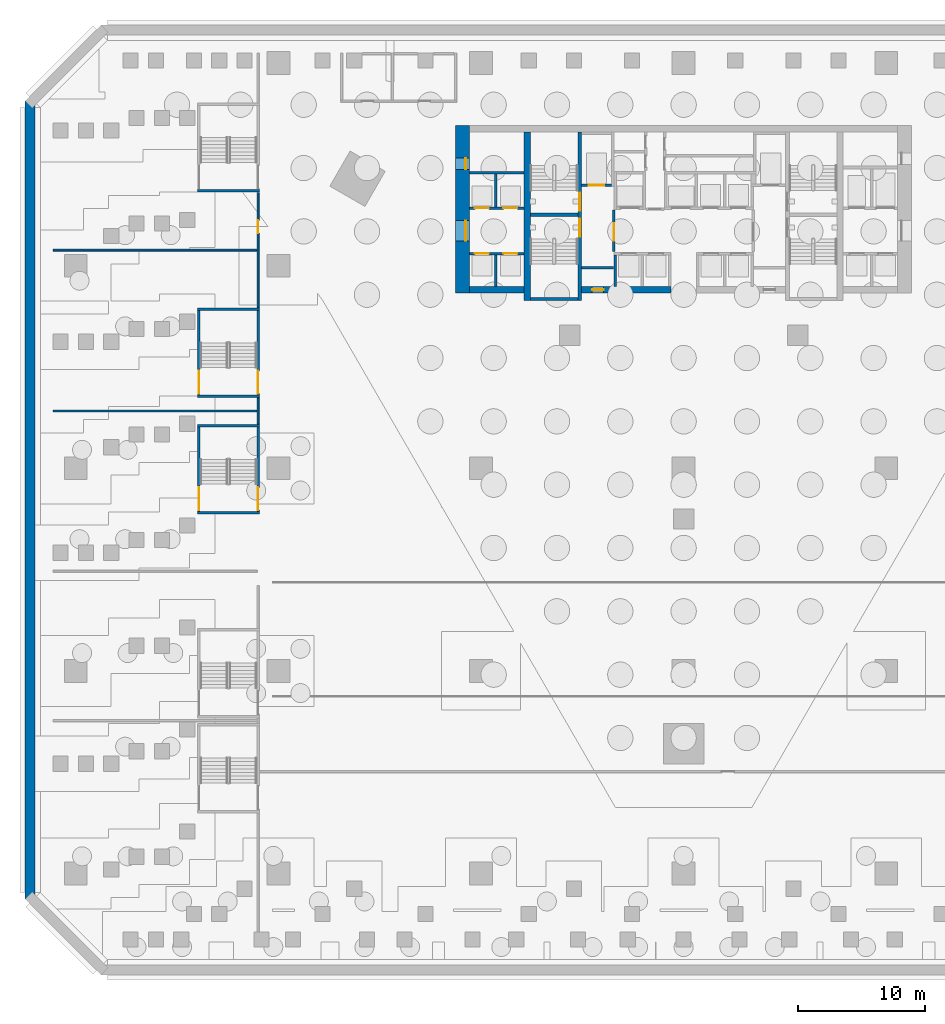
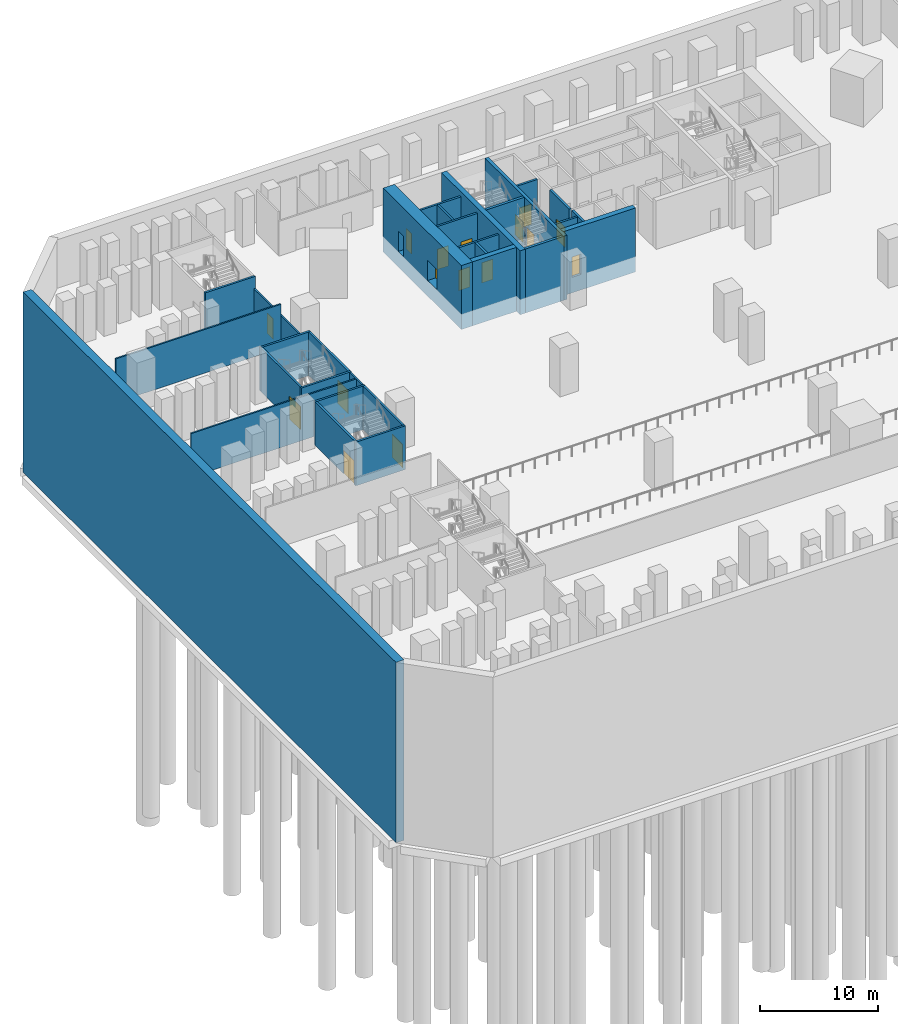
# One storey, part 8 of 27: 30 walls, 16 doors, 16 openings.
"""IFC4 building model written with IfcOpenShell, lengths in metres."""

from ifc_helpers import new_model, si_unit, direction, frame, frame_2d, origin, place, context, subcontext, project, spatial, rectangle, extrude, material, layer, layer_set, type_object, element, fill, save


model = new_model("IFC4")

# Units and contexts
model_context = context("Model", 3, precision=1e-05, world=origin(), true_north=direction((0.0, 1.0)))
body_context = subcontext(model_context, "Body", "Model", "MODEL_VIEW")
ifc_project = project(units=[si_unit("LENGTHUNIT", "METRE"), si_unit("AREAUNIT", "SQUARE_METRE"), si_unit("VOLUMEUNIT", "CUBIC_METRE"), si_unit("PLANEANGLEUNIT", "RADIAN"), si_unit("MASSUNIT", "GRAM", prefix="KILO")], contexts=[model_context])

# Site, building, storey
site_placement = place(None, origin())
site = spatial("IfcSite", under=ifc_project, at=site_placement, CompositionType="ELEMENT")
building_placement = place(site_placement, origin())
building = spatial("IfcBuilding", under=site, at=building_placement, Name="Calabash Gate Tower", CompositionType="ELEMENT")
storey_placement = place(building_placement, frame((0.0, 0.0, -10.0)))
storey = spatial("IfcBuildingStorey", under=building, at=storey_placement, Name="B2", CompositionType="ELEMENT", Elevation=-10.0)

# Wall, openings, doors
ifc_material_1 = material(Name="Concrete C60/75", Category="concrete")
ifc_layer_1 = layer(ifc_material_1, 1.10009765625)
ifc_layer_set_1 = layer_set([ifc_layer_1], Name="Core wall 1100 Concrete C60/75")
wall_type_1 = type_object("IfcWallType", Name="Core wall 1100 Concrete C60/75", PredefinedType="SHEAR", material=ifc_layer_set_1)
wall_1_placement = place(storey_placement, frame((-17.449951171875, 5.8525390625, -1.60009765625), z_axis=(0.0, 0.0, 1.0), x_axis=(0.0, 1.0, 0.0)))
wall_1 = element("IfcWall", 1, at=wall_1_placement, inside=storey, type_object=wall_type_1, Name="Core wall B-ENDW B2", PredefinedType="SHEAR", context=body_context, shape_type="SweptSolid", body=[
    extrude(rectangle(XDim=13.199951171875, YDim=1.10009765625, at=frame_2d((6.60009765625, 0.0))), origin(), (0.0, 0.0, 1.0), 6.60009765625),
])
opening_1_placement = place(wall_1_placement, frame((4.10009765625, 0.0, 1.60009765625)))
opening_1 = element("IfcOpeningElement", 2, at=opening_1_placement, cuts=wall_1, Name="Opening B2-014", PredefinedType="OPENING", context=body_context, shape_type="SweptSolid", body=[
    extrude(rectangle(XDim=1.60009765625, YDim=2.10009765625, at=frame_2d((0.800048828125, 1.050048828125))), frame((0.0, 0.56005859375, 0.0), z_axis=(0.0, -1.0, 0.0), x_axis=(1.0, 0.0, 0.0)), (0.0, 0.0, 1.0), 1.1201171875),
])
opening_2_placement = place(wall_1_placement, frame((9.75, 0.0, 1.60009765625)))
opening_2 = element("IfcOpeningElement", 3, at=opening_2_placement, cuts=wall_1, Name="Opening B2-015", PredefinedType="OPENING", context=body_context, shape_type="SweptSolid", body=[
    extrude(rectangle(XDim=0.89990234375, YDim=2.10009765625, at=frame_2d((0.449951171875, 1.050048828125))), frame((0.0, 0.56005859375, 0.0), z_axis=(0.0, -1.0, 0.0), x_axis=(1.0, 0.0, 0.0)), (0.0, 0.0, 1.0), 1.1201171875),
])
ifc_material_2 = material(Name="Steel fire door set with fire-resisting glazing", Category="steel")
door_type_1 = type_object("IfcDoorType", Name="Double fire door D08 1600x2100 FD60", OperationType="DOUBLE_DOOR_SINGLE_SWING", PredefinedType="DOOR", material=ifc_material_2)
door_1_placement = place(opening_1_placement, origin())
door_1 = element("IfcDoor", 4, at=door_1_placement, inside=storey, type_object=door_type_1, Name="Low-rise Lift Lobby W door", OperationType="DOUBLE_DOOR_SINGLE_SWING", OverallHeight=2.10009765625, OverallWidth=1.60009765625, PredefinedType="DOOR", context=body_context, shape_type="SweptSolid", body=[
    extrude(rectangle(XDim=1.60009765625, YDim=2.10009765625, at=frame_2d((0.800048828125, 1.050048828125))), frame((0.0, -0.22509765625, 0.0), z_axis=(0.0, -1.0, 0.0), x_axis=(1.0, 0.0, 0.0)), (0.0, 0.0, 1.0), 0.050048828125),
])
fill(opening_1, door_1)
ifc_material_3 = material(Name="Steel fire door set with fire-resisting glazing", Category="steel")
door_type_2 = type_object("IfcDoorType", Name="Fire door D06 900x2100 FD60", OperationType="NOTDEFINED", PredefinedType="DOOR", material=ifc_material_3)
door_2_placement = place(opening_2_placement, origin())
door_2 = element("IfcDoor", 5, at=door_2_placement, inside=storey, type_object=door_type_2, Name="Chilled Water Plant door", OperationType="SINGLE_SWING_RIGHT", OverallHeight=2.10009765625, OverallWidth=0.89990234375, PredefinedType="DOOR", context=body_context, shape_type="SweptSolid", body=[
    extrude(rectangle(XDim=0.89990234375, YDim=2.10009765625, at=frame_2d((0.449951171875, 1.050048828125))), frame((0.0, -0.22509765625, 0.0), z_axis=(0.0, -1.0, 0.0), x_axis=(1.0, 0.0, 0.0)), (0.0, 0.0, 1.0), 0.050048828125),
])
fill(opening_2, door_2)

# Walls
ifc_material_4 = material(Name="Concrete C60/75", Category="concrete")
ifc_layer_2 = layer(ifc_material_4, 0.25)
ifc_layer_set_2 = layer_set([ifc_layer_2], Name="Core wall 250 Concrete C60/75")
wall_type_2 = type_object("IfcWallType", Name="Core wall 250 Concrete C60/75", PredefinedType="SHEAR", material=ifc_layer_set_2)
for number, where, z_axis, x_axis, name in (
    (6, (-12.10009765625, 12.027587890625, -1.60009765625), (0.0, 0.0, 1.0), (1.0, 0.0, 0.0), "Core wall B-MIDW B2"),
    (7, (-12.10009765625, 5.377685546875, -1.60009765625), (0.0, 0.0, 1.0), (1.0, 0.0, 0.0), "Core wall B-SSW B2"),
):
    element("IfcWall", number, at=place(storey_placement, frame(where, z_axis=z_axis, x_axis=x_axis)), inside=storey, type_object=wall_type_2, Name=name, PredefinedType="SHEAR", context=body_context, shape_type="SweptSolid", body=[
        extrude(rectangle(XDim=3.75, YDim=0.25, at=frame_2d((1.875, 0.0))), origin(), (0.0, 0.0, 1.0), 6.60009765625),
    ])

# Wall, openings, doors
ifc_material_5 = material(Name="Concrete C60/75", Category="concrete")
ifc_layer_3 = layer(ifc_material_5, 0.300048828125)
ifc_layer_set_3 = layer_set([ifc_layer_3], Name="Core wall 300 Concrete C60/75")
wall_type_3 = type_object("IfcWallType", Name="Core wall 300 Concrete C60/75", PredefinedType="SHEAR", material=ifc_layer_set_3)
wall_2_placement = place(storey_placement, frame((-8.199951171875, 5.252685546875, -1.60009765625), z_axis=(0.0, 0.0, 1.0), x_axis=(0.0, 1.0, 0.0)))
wall_2 = element("IfcWall", 8, at=wall_2_placement, inside=storey, type_object=wall_type_3, Name="Core wall B-PARTW B2", PredefinedType="SHEAR", context=body_context, shape_type="SweptSolid", body=[
    extrude(rectangle(XDim=13.2998046875, YDim=0.300048828125, at=frame_2d((6.64990234375, 0.0))), origin(), (0.0, 0.0, 1.0), 6.60009765625),
])
opening_3_placement = place(wall_2_placement, frame((7.10009765625, 0.0, 1.60009765625)))
opening_3 = element("IfcOpeningElement", 9, at=opening_3_placement, cuts=wall_2, Name="Opening B2-001", PredefinedType="OPENING", context=body_context, shape_type="SweptSolid", body=[
    extrude(rectangle(XDim=1.39990234375, YDim=2.10009765625, at=frame_2d((0.699951171875, 1.050048828125))), frame((0.0, 0.159912109375, 0.0), z_axis=(0.0, -1.0, 0.0), x_axis=(1.0, 0.0, 0.0)), (0.0, 0.0, 1.0), 0.320068359375),
])
opening_4_placement = place(wall_2_placement, frame((5.050048828125, 0.0, 1.60009765625)))
opening_4 = element("IfcOpeningElement", 10, at=opening_4_placement, cuts=wall_2, Name="Opening B2-002", PredefinedType="OPENING", context=body_context, shape_type="SweptSolid", body=[
    extrude(rectangle(XDim=1.39990234375, YDim=2.10009765625, at=frame_2d((0.699951171875, 1.050048828125))), frame((0.0, 0.159912109375, 0.0), z_axis=(0.0, -1.0, 0.0), x_axis=(1.0, 0.0, 0.0)), (0.0, 0.0, 1.0), 0.320068359375),
])
ifc_material_6 = material(Name="Steel fire door set with fire-resisting glazing", Category="steel")
door_type_3 = type_object("IfcDoorType", Name="Fire door D05 1400x2100 FD90", OperationType="NOTDEFINED", PredefinedType="DOOR", material=ifc_material_6)
door_3_placement = place(opening_3_placement, origin())
door_3 = element("IfcDoor", 11, at=door_3_placement, inside=storey, type_object=door_type_3, Name="Exit stair door ST1", OperationType="SINGLE_SWING_LEFT", OverallHeight=2.10009765625, OverallWidth=1.39990234375, PredefinedType="DOOR", context=body_context, shape_type="SweptSolid", body=[
    extrude(rectangle(XDim=1.39990234375, YDim=2.10009765625, at=frame_2d((0.699951171875, 1.050048828125))), frame((0.0, 0.02490234375, 0.0), z_axis=(0.0, -1.0, 0.0), x_axis=(1.0, 0.0, 0.0)), (0.0, 0.0, 1.0), 0.050048828125),
])
fill(opening_3, door_3)
door_4_placement = place(opening_4_placement, origin())
door_4 = element("IfcDoor", 12, at=door_4_placement, inside=storey, type_object=door_type_3, Name="Exit stair door ST2", OperationType="SINGLE_SWING_LEFT", OverallHeight=2.10009765625, OverallWidth=1.39990234375, PredefinedType="DOOR", context=body_context, shape_type="SweptSolid", body=[
    extrude(rectangle(XDim=1.39990234375, YDim=2.10009765625, at=frame_2d((0.699951171875, 1.050048828125))), frame((0.0, 0.02490234375, 0.0), z_axis=(0.0, -1.0, 0.0), x_axis=(1.0, 0.0, 0.0)), (0.0, 0.0, 1.0), 0.050048828125),
])
fill(opening_4, door_4)

# Wall
ifc_material_7 = material(Name="Concrete C60/75", Category="concrete")
ifc_layer_4 = layer(ifc_material_7, 0.5)
ifc_layer_set_4 = layer_set([ifc_layer_4], Name="Core wall 500 Concrete C60/75")
wall_type_4 = type_object("IfcWallType", Name="Core wall 500 Concrete C60/75", PredefinedType="SHEAR", material=ifc_layer_set_4)
wall_3_placement = place(storey_placement, frame((-12.35009765625, 5.252685546875, -1.60009765625), z_axis=(0.0, 0.0, 1.0), x_axis=(0.0, 1.0, 0.0)))
element("IfcWall", 13, at=wall_3_placement, inside=storey, type_object=wall_type_4, Name="Core wall B-COLW B2", PredefinedType="SHEAR", context=body_context, shape_type="SweptSolid", body=[
    extrude(rectangle(XDim=13.2998046875, YDim=0.5, at=frame_2d((6.64990234375, 0.0))), origin(), (0.0, 0.0, 1.0), 6.60009765625),
])

# Wall, opening, door
wall_4_placement = place(storey_placement, frame((-8.050048828125, 6.1025390625, -1.60009765625), z_axis=(0.0, 0.0, 1.0), x_axis=(1.0, 0.0, 0.0)))
wall_4 = element("IfcWall", 14, at=wall_4_placement, inside=storey, type_object=wall_type_4, Name="Core wall B-SA B2", PredefinedType="SHEAR", context=body_context, shape_type="SweptSolid", body=[
    extrude(rectangle(XDim=7.050048828125, YDim=0.5, at=frame_2d((3.52490234375, 0.0))), origin(), (0.0, 0.0, 1.0), 6.60009765625),
])
opening_5_placement = place(wall_4_placement, frame((0.824951171875, 0.0, 1.60009765625)))
opening_5 = element("IfcOpeningElement", 15, at=opening_5_placement, cuts=wall_4, Name="Opening B2-012", PredefinedType="OPENING", context=body_context, shape_type="SweptSolid", body=[
    extrude(rectangle(XDim=0.89990234375, YDim=2.10009765625, at=frame_2d((0.449951171875, 1.050048828125))), frame((0.0, 0.260009765625, 0.0), z_axis=(0.0, -1.0, 0.0), x_axis=(1.0, 0.0, 0.0)), (0.0, 0.0, 1.0), 0.52001953125),
])
ifc_material_8 = material(Name="Steel fire door set with fire-resisting glazing", Category="steel")
door_type_4 = type_object("IfcDoorType", Name="Fire door D07 900x2100 FD90", OperationType="NOTDEFINED", PredefinedType="DOOR", material=ifc_material_8)
door_5_placement = place(opening_5_placement, origin())
door_5 = element("IfcDoor", 16, at=door_5_placement, inside=storey, type_object=door_type_4, Name="Electrical Riser W door", OperationType="SINGLE_SWING_LEFT", OverallHeight=2.10009765625, OverallWidth=0.89990234375, PredefinedType="DOOR", context=body_context, shape_type="SweptSolid", body=[
    extrude(rectangle(XDim=0.89990234375, YDim=2.10009765625, at=frame_2d((0.449951171875, 1.050048828125))), frame((0.0, 0.02490234375, 0.0), z_axis=(0.0, -1.0, 0.0), x_axis=(1.0, 0.0, 0.0)), (0.0, 0.0, 1.0), 0.050048828125),
])
fill(opening_5, door_5)

# Walls
wall_5_placement = place(storey_placement, frame((-12.60009765625, 6.1025390625, -1.60009765625), z_axis=(0.0, 0.0, 1.0), x_axis=(-1.0, 0.0, 0.0)))
element("IfcWall", 17, at=wall_5_placement, inside=storey, type_object=wall_type_4, Name="Core wall B-SW B2", PredefinedType="SHEAR", context=body_context, shape_type="SweptSolid", body=[
    extrude(rectangle(XDim=4.2998046875, YDim=0.5, at=frame_2d((2.14990234375, 0.0))), origin(), (0.0, 0.0, 1.0), 6.60009765625),
])
ifc_material_9 = material(Name="Concrete C60/75", Category="concrete")
ifc_layer_5 = layer(ifc_material_9, 0.800048828125)
ifc_layer_set_5 = layer_set([ifc_layer_5], Name="Diaphragm wall 800 Concrete C60/75")
wall_type_5 = type_object("IfcWallType", Name="Diaphragm wall 800 Concrete C60/75", PredefinedType="SHEAR", material=ifc_layer_set_5)
wall_6_placement = place(storey_placement, frame((-51.60009765625, 21.0, -13.60009765625), z_axis=(0.0, 0.0, 1.0), x_axis=(0.0, -1.0, 0.0)))
element("IfcWall", 18, at=wall_6_placement, inside=storey, type_object=wall_type_5, Name="Diaphragm wall B2", PredefinedType="SHEAR", context=body_context, shape_type="SweptSolid", body=[
    extrude(rectangle(XDim=63.0, YDim=0.800048828125, at=frame_2d((31.5, 0.0))), origin(), (0.0, 0.0, 1.0), 18.60009765625),
])
ifc_material_10 = material(Name="Gypsum board on steel studs, mineral wool", Category="steel")
ifc_layer_6 = layer(ifc_material_10, 0.14990234375)
ifc_layer_set_6 = layer_set([ifc_layer_6], Name="Partition 150 gypsum board")
wall_type_6 = type_object("IfcWallType", Name="Partition 150 gypsum board", PredefinedType="PARTITIONING", material=ifc_layer_set_6)
wall_7_placement = place(storey_placement, frame((-33.60009765625, -4.510009765625, 0.0), z_axis=(0.0, 0.0, 1.0), x_axis=(0.0, 1.0, 0.0)))
element("IfcWall", 19, at=wall_7_placement, inside=storey, type_object=wall_type_6, Name="Partition", PredefinedType="PARTITIONING", context=body_context, shape_type="SweptSolid", body=[
    extrude(rectangle(XDim=2.070068359375, YDim=0.14990234375, at=frame_2d((1.03515625, 0.0))), origin(), (0.0, 0.0, 1.0), 4.5),
])
wall_8_placement = place(storey_placement, frame((-49.77490234375, -3.47509765625, 0.0), z_axis=(0.0, 0.0, 1.0), x_axis=(1.0, 0.0, 0.0)))
element("IfcWall", 20, at=wall_8_placement, inside=storey, type_object=wall_type_6, Name="Partition", PredefinedType="PARTITIONING", context=body_context, shape_type="SweptSolid", body=[
    extrude(rectangle(XDim=16.099853515625, YDim=0.14990234375, at=frame_2d((8.0498046875, 0.0))), origin(), (0.0, 0.0, 1.0), 4.5),
])

# Wall, opening, door
wall_9_placement = place(storey_placement, frame((-33.60009765625, 4.68994140625, 0.0), z_axis=(0.0, 0.0, 1.0), x_axis=(0.0, 1.0, 0.0)))
wall_9 = element("IfcWall", 21, at=wall_9_placement, inside=storey, type_object=wall_type_6, Name="Partition", PredefinedType="PARTITIONING", context=body_context, shape_type="SweptSolid", body=[
    extrude(rectangle(XDim=9.070068359375, YDim=0.14990234375, at=frame_2d((4.53515625, 0.0))), origin(), (0.0, 0.0, 1.0), 3.300048828125),
])
opening_6_placement = place(wall_9_placement, frame((5.885009765625, 0.0, 0.0)))
opening_6 = element("IfcOpeningElement", 22, at=opening_6_placement, cuts=wall_9, Name="Opening B2-040", PredefinedType="OPENING", context=body_context, shape_type="SweptSolid", body=[
    extrude(rectangle(XDim=1.0, YDim=2.10009765625, at=frame_2d((0.5, 1.050048828125))), frame((0.0, 0.0849609375, 0.0), z_axis=(0.0, -1.0, 0.0), x_axis=(1.0, 0.0, 0.0)), (0.0, 0.0, 1.0), 0.169921875),
])
ifc_material_11 = material(Name="Steel fire door set with fire-resisting glazing", Category="steel")
door_type_5 = type_object("IfcDoorType", Name="Fire door D11 1000x2100 FD60", OperationType="NOTDEFINED", PredefinedType="DOOR", material=ifc_material_11)
door_6_placement = place(opening_6_placement, origin())
door_6 = element("IfcDoor", 23, at=door_6_placement, inside=storey, type_object=door_type_5, Name="Pump and Sump Room door", OperationType="SINGLE_SWING_LEFT", OverallHeight=2.10009765625, OverallWidth=1.0, PredefinedType="DOOR", context=body_context, shape_type="SweptSolid", body=[
    extrude(rectangle(XDim=1.0, YDim=2.10009765625, at=frame_2d((0.5, 1.050048828125))), frame((0.0, 0.02490234375, 0.0), z_axis=(0.0, -1.0, 0.0), x_axis=(1.0, 0.0, 0.0)), (0.0, 0.0, 1.0), 0.050048828125),
])
fill(opening_6, door_6)

# Walls
wall_10_placement = place(storey_placement, frame((-49.77490234375, 9.22509765625, 0.0), z_axis=(0.0, 0.0, 1.0), x_axis=(1.0, 0.0, 0.0)))
element("IfcWall", 24, at=wall_10_placement, inside=storey, type_object=wall_type_6, Name="Partition", PredefinedType="PARTITIONING", context=body_context, shape_type="SweptSolid", body=[
    extrude(rectangle(XDim=16.099853515625, YDim=0.14990234375, at=frame_2d((8.0498046875, 0.0))), origin(), (0.0, 0.0, 1.0), 4.5),
])
ifc_material_12 = material(Name="Concrete C40/50", Category="concrete")
ifc_layer_7 = layer(ifc_material_12, 0.199951171875)
ifc_layer_set_7 = layer_set([ifc_layer_7], Name="Shaft wall 200 Concrete C40/50")
wall_type_7 = type_object("IfcWallType", Name="Shaft wall 200 Concrete C40/50", PredefinedType="SOLIDWALL", material=ifc_layer_set_7)
for number, where, z_axis, x_axis, name in (
    (25, (-14.85009765625, 6.3525390625, 0.0), (0.0, 0.0, 1.0), (0.0, 1.0, 0.0), "Shaft wall"),
    (26, (-5.39990234375, 6.3525390625, 0.0), (0.0, 0.0, 1.0), (0.0, 1.0, 0.0), "Shaft wall"),
    (27, (-8.050048828125, 7.8525390625, 0.0), (0.0, 0.0, 1.0), (1.0, 0.0, 0.0), "Shaft wall"),
):
    element("IfcWall", number, at=place(storey_placement, frame(where, z_axis=z_axis, x_axis=x_axis)), inside=storey, type_object=wall_type_7, Name=name, PredefinedType="SOLIDWALL", context=body_context, shape_type="SweptSolid", body=[
        extrude(rectangle(XDim=2.5, YDim=0.199951171875, at=frame_2d((1.25, 0.0))), origin(), (0.0, 0.0, 1.0), 4.5),
    ])

# Wall, openings, doors
wall_11_placement = place(storey_placement, frame((-16.89990234375, 8.95263671875, 0.0), z_axis=(0.0, 0.0, 1.0), x_axis=(1.0, 0.0, 0.0)))
wall_11 = element("IfcWall", 28, at=wall_11_placement, inside=storey, type_object=wall_type_7, Name="Shaft wall", PredefinedType="SOLIDWALL", context=body_context, shape_type="SweptSolid", body=[
    extrude(rectangle(XDim=4.2998046875, YDim=0.199951171875, at=frame_2d((2.14990234375, 0.0))), origin(), (0.0, 0.0, 1.0), 4.5),
])
opening_7_placement = place(wall_11_placement, frame((2.675048828125, 0.0, 0.0)))
opening_7 = element("IfcOpeningElement", 29, at=opening_7_placement, cuts=wall_11, Name="Opening LD-LR1", PredefinedType="OPENING", context=body_context, shape_type="SweptSolid", body=[
    extrude(rectangle(XDim=1.10009765625, YDim=2.10009765625, at=frame_2d((0.550048828125, 1.050048828125))), frame((0.0, 0.10986328125, 0.0), z_axis=(0.0, -1.0, 0.0), x_axis=(1.0, 0.0, 0.0)), (0.0, 0.0, 1.0), 0.219970703125),
])
opening_8_placement = place(wall_11_placement, frame((0.425048828125, 0.0, 0.0)))
opening_8 = element("IfcOpeningElement", 30, at=opening_8_placement, cuts=wall_11, Name="Opening LD-LR2", PredefinedType="OPENING", context=body_context, shape_type="SweptSolid", body=[
    extrude(rectangle(XDim=1.10009765625, YDim=2.10009765625, at=frame_2d((0.550048828125, 1.050048828125))), frame((0.0, 0.10986328125, 0.0), z_axis=(0.0, -1.0, 0.0), x_axis=(1.0, 0.0, 0.0)), (0.0, 0.0, 1.0), 0.219970703125),
])
ifc_material_13 = material(Name="Stainless steel sliding door leaves", Category="steel")
door_type_6 = type_object("IfcDoorType", Name="Lift landing door LS1 1100x2100 FD90", OperationType="DOUBLE_DOOR_SLIDING", PredefinedType="DOOR", material=ifc_material_13)
door_7_placement = place(opening_7_placement, origin())
door_7 = element("IfcDoor", 31, at=door_7_placement, inside=storey, type_object=door_type_6, Name="Lift landing door LR1", OperationType="DOUBLE_DOOR_SLIDING", OverallHeight=2.10009765625, OverallWidth=1.10009765625, PredefinedType="DOOR", context=body_context, shape_type="SweptSolid", body=[
    extrude(rectangle(XDim=1.10009765625, YDim=2.10009765625, at=frame_2d((0.550048828125, 1.050048828125))), frame((0.0, 0.02490234375, 0.0), z_axis=(0.0, -1.0, 0.0), x_axis=(1.0, 0.0, 0.0)), (0.0, 0.0, 1.0), 0.050048828125),
])
fill(opening_7, door_7)
door_8_placement = place(opening_8_placement, origin())
door_8 = element("IfcDoor", 32, at=door_8_placement, inside=storey, type_object=door_type_6, Name="Lift landing door LR2", OperationType="DOUBLE_DOOR_SLIDING", OverallHeight=2.10009765625, OverallWidth=1.10009765625, PredefinedType="DOOR", context=body_context, shape_type="SweptSolid", body=[
    extrude(rectangle(XDim=1.10009765625, YDim=2.10009765625, at=frame_2d((0.550048828125, 1.050048828125))), frame((0.0, 0.02490234375, 0.0), z_axis=(0.0, -1.0, 0.0), x_axis=(1.0, 0.0, 0.0)), (0.0, 0.0, 1.0), 0.050048828125),
])
fill(opening_8, door_8)

# Wall, opening, door
wall_12_placement = place(storey_placement, frame((-5.5, 9.1025390625, 0.0), z_axis=(0.0, 0.0, 1.0), x_axis=(0.0, 1.0, 0.0)))
wall_12 = element("IfcWall", 33, at=wall_12_placement, inside=storey, type_object=wall_type_7, Name="Shaft wall", PredefinedType="SOLIDWALL", context=body_context, shape_type="SweptSolid", body=[
    extrude(rectangle(XDim=3.300048828125, YDim=0.199951171875, at=frame_2d((1.64990234375, 0.0))), origin(), (0.0, 0.0, 1.0), 4.5),
])
opening_9_placement = place(wall_12_placement, frame((0.85009765625, 0.0, 0.0)))
opening_9 = element("IfcOpeningElement", 34, at=opening_9_placement, cuts=wall_12, Name="Opening B2-006", PredefinedType="OPENING", context=body_context, shape_type="SweptSolid", body=[
    extrude(rectangle(XDim=1.39990234375, YDim=2.10009765625, at=frame_2d((0.699951171875, 1.050048828125))), frame((0.0, 0.10986328125, 0.0), z_axis=(0.0, -1.0, 0.0), x_axis=(1.0, 0.0, 0.0)), (0.0, 0.0, 1.0), 0.219970703125),
])
door_9_placement = place(opening_9_placement, origin())
door_9 = element("IfcDoor", 35, at=door_9_placement, inside=storey, type_object=door_type_3, Name="Firefighting Lobby W door", OperationType="SINGLE_SWING_RIGHT", OverallHeight=2.10009765625, OverallWidth=1.39990234375, PredefinedType="DOOR", context=body_context, shape_type="SweptSolid", body=[
    extrude(rectangle(XDim=1.39990234375, YDim=2.10009765625, at=frame_2d((0.699951171875, 1.050048828125))), frame((0.0, 0.02490234375, 0.0), z_axis=(0.0, -1.0, 0.0), x_axis=(1.0, 0.0, 0.0)), (0.0, 0.0, 1.0), 0.050048828125),
])
fill(opening_9, door_9)

# Wall, openings, doors
wall_13_placement = place(storey_placement, frame((-16.89990234375, 12.552490234375, 0.0), z_axis=(0.0, 0.0, 1.0), x_axis=(1.0, 0.0, 0.0)))
wall_13 = element("IfcWall", 36, at=wall_13_placement, inside=storey, type_object=wall_type_7, Name="Shaft wall", PredefinedType="SOLIDWALL", context=body_context, shape_type="SweptSolid", body=[
    extrude(rectangle(XDim=4.2998046875, YDim=0.199951171875, at=frame_2d((2.14990234375, 0.0))), origin(), (0.0, 0.0, 1.0), 4.5),
])
opening_10_placement = place(wall_13_placement, frame((2.675048828125, 0.0, 0.0)))
opening_10 = element("IfcOpeningElement", 37, at=opening_10_placement, cuts=wall_13, Name="Opening LD-LR3", PredefinedType="OPENING", context=body_context, shape_type="SweptSolid", body=[
    extrude(rectangle(XDim=1.10009765625, YDim=2.10009765625, at=frame_2d((0.550048828125, 1.050048828125))), frame((0.0, 0.10986328125, 0.0), z_axis=(0.0, -1.0, 0.0), x_axis=(1.0, 0.0, 0.0)), (0.0, 0.0, 1.0), 0.219970703125),
])
opening_11_placement = place(wall_13_placement, frame((0.425048828125, 0.0, 0.0)))
opening_11 = element("IfcOpeningElement", 38, at=opening_11_placement, cuts=wall_13, Name="Opening LD-LR4", PredefinedType="OPENING", context=body_context, shape_type="SweptSolid", body=[
    extrude(rectangle(XDim=1.10009765625, YDim=2.10009765625, at=frame_2d((0.550048828125, 1.050048828125))), frame((0.0, 0.10986328125, 0.0), z_axis=(0.0, -1.0, 0.0), x_axis=(1.0, 0.0, 0.0)), (0.0, 0.0, 1.0), 0.219970703125),
])
door_10_placement = place(opening_10_placement, origin())
door_10 = element("IfcDoor", 39, at=door_10_placement, inside=storey, type_object=door_type_6, Name="Lift landing door LR3", OperationType="DOUBLE_DOOR_SLIDING", OverallHeight=2.10009765625, OverallWidth=1.10009765625, PredefinedType="DOOR", context=body_context, shape_type="SweptSolid", body=[
    extrude(rectangle(XDim=1.10009765625, YDim=2.10009765625, at=frame_2d((0.550048828125, 1.050048828125))), frame((0.0, 0.02490234375, 0.0), z_axis=(0.0, -1.0, 0.0), x_axis=(1.0, 0.0, 0.0)), (0.0, 0.0, 1.0), 0.050048828125),
])
fill(opening_10, door_10)
door_11_placement = place(opening_11_placement, origin())
door_11 = element("IfcDoor", 40, at=door_11_placement, inside=storey, type_object=door_type_6, Name="Lift landing door LR4", OperationType="DOUBLE_DOOR_SLIDING", OverallHeight=2.10009765625, OverallWidth=1.10009765625, PredefinedType="DOOR", context=body_context, shape_type="SweptSolid", body=[
    extrude(rectangle(XDim=1.10009765625, YDim=2.10009765625, at=frame_2d((0.550048828125, 1.050048828125))), frame((0.0, 0.02490234375, 0.0), z_axis=(0.0, -1.0, 0.0), x_axis=(1.0, 0.0, 0.0)), (0.0, 0.0, 1.0), 0.050048828125),
])
fill(opening_11, door_11)

# Wall
wall_14_placement = place(storey_placement, frame((-14.85009765625, 12.652587890625, 0.0), z_axis=(0.0, 0.0, 1.0), x_axis=(0.0, 1.0, 0.0)))
element("IfcWall", 41, at=wall_14_placement, inside=storey, type_object=wall_type_7, Name="Shaft wall", PredefinedType="SOLIDWALL", context=body_context, shape_type="SweptSolid", body=[
    extrude(rectangle(XDim=2.60009765625, YDim=0.199951171875, at=frame_2d((1.300048828125, 0.0))), origin(), (0.0, 0.0, 1.0), 4.5),
])

# Wall, opening, door
wall_15_placement = place(storey_placement, frame((-8.050048828125, 14.3525390625, 0.0), z_axis=(0.0, 0.0, 1.0), x_axis=(1.0, 0.0, 0.0)))
wall_15 = element("IfcWall", 42, at=wall_15_placement, inside=storey, type_object=wall_type_7, Name="Shaft wall", PredefinedType="SOLIDWALL", context=body_context, shape_type="SweptSolid", body=[
    extrude(rectangle(XDim=2.35009765625, YDim=0.199951171875, at=frame_2d((1.175048828125, 0.0))), origin(), (0.0, 0.0, 1.0), 4.5),
])
opening_12_placement = place(wall_15_placement, frame((0.574951171875, 0.0, 0.0)))
opening_12 = element("IfcOpeningElement", 43, at=opening_12_placement, cuts=wall_15, Name="Opening LD-FF1", PredefinedType="OPENING", context=body_context, shape_type="SweptSolid", body=[
    extrude(rectangle(XDim=1.199951171875, YDim=2.10009765625, at=frame_2d((0.60009765625, 1.050048828125))), frame((0.0, 0.10986328125, 0.0), z_axis=(0.0, -1.0, 0.0), x_axis=(1.0, 0.0, 0.0)), (0.0, 0.0, 1.0), 0.219970703125),
])
ifc_material_14 = material(Name="Stainless steel sliding door leaves", Category="steel")
door_type_7 = type_object("IfcDoorType", Name="Lift landing door LS3 1200x2100 FD90", OperationType="DOUBLE_DOOR_SLIDING", PredefinedType="DOOR", material=ifc_material_14)
door_12_placement = place(opening_12_placement, origin())
door_12 = element("IfcDoor", 44, at=door_12_placement, inside=storey, type_object=door_type_7, Name="Lift landing door FF1", OperationType="DOUBLE_DOOR_SLIDING", OverallHeight=2.10009765625, OverallWidth=1.199951171875, PredefinedType="DOOR", context=body_context, shape_type="SweptSolid", body=[
    extrude(rectangle(XDim=1.199951171875, YDim=2.10009765625, at=frame_2d((0.60009765625, 1.050048828125))), frame((0.0, 0.02490234375, 0.0), z_axis=(0.0, -1.0, 0.0), x_axis=(1.0, 0.0, 0.0)), (0.0, 0.0, 1.0), 0.050048828125),
])
fill(opening_12, door_12)

# Walls
wall_16_placement = place(storey_placement, frame((-16.89990234375, 15.3525390625, 0.0), z_axis=(0.0, 0.0, 1.0), x_axis=(1.0, 0.0, 0.0)))
element("IfcWall", 45, at=wall_16_placement, inside=storey, type_object=wall_type_7, Name="Shaft wall", PredefinedType="SOLIDWALL", context=body_context, shape_type="SweptSolid", body=[
    extrude(rectangle(XDim=4.2998046875, YDim=0.199951171875, at=frame_2d((2.14990234375, 0.0))), origin(), (0.0, 0.0, 1.0), 4.5),
])
ifc_material_15 = material(Name="Concrete C40/50", Category="concrete")
ifc_layer_8 = layer(ifc_material_15, 0.199951171875)
ifc_layer_set_8 = layer_set([ifc_layer_8], Name="Stair wall 200 Concrete C40/50")
wall_type_8 = type_object("IfcWallType", Name="Stair wall 200 Concrete C40/50", PredefinedType="SOLIDWALL", material=ifc_layer_set_8)
for number, where, z_axis, x_axis, name in (
    (46, (-38.3701171875, -11.5, 0.0), (0.0, 0.0, 1.0), (1.0, 0.0, 0.0), "Stair wall"),
    (47, (-38.3701171875, -4.64990234375, 0.0), (0.0, 0.0, 1.0), (1.0, 0.0, 0.0), "Stair wall"),
):
    element("IfcWall", number, at=place(storey_placement, frame(where, z_axis=z_axis, x_axis=x_axis)), inside=storey, type_object=wall_type_8, Name=name, PredefinedType="SOLIDWALL", context=body_context, shape_type="SweptSolid", body=[
        extrude(rectangle(XDim=4.8701171875, YDim=0.199951171875, at=frame_2d((2.43505859375, 0.0))), origin(), (0.0, 0.0, 1.0), 4.5),
    ])

# Wall, opening, door
wall_17_placement = place(storey_placement, frame((-38.27001953125, -11.39990234375, 0.0), z_axis=(0.0, 0.0, 1.0), x_axis=(0.0, 1.0, 0.0)))
wall_17 = element("IfcWall", 48, at=wall_17_placement, inside=storey, type_object=wall_type_8, Name="Stair wall", PredefinedType="SOLIDWALL", context=body_context, shape_type="SweptSolid", body=[
    extrude(rectangle(XDim=6.64990234375, YDim=0.199951171875, at=frame_2d((3.324951171875, 0.0))), origin(), (0.0, 0.0, 1.0), 4.5),
])
opening_13_placement = place(wall_17_placement, frame((0.10009765625, 0.0, 0.0)))
opening_13 = element("IfcOpeningElement", 49, at=opening_13_placement, cuts=wall_17, Name="Opening B2-023", PredefinedType="OPENING", context=body_context, shape_type="SweptSolid", body=[
    extrude(rectangle(XDim=1.800048828125, YDim=2.39990234375, at=frame_2d((0.89990234375, 1.199951171875))), frame((0.0, 0.10986328125, 0.0), z_axis=(0.0, -1.0, 0.0), x_axis=(1.0, 0.0, 0.0)), (0.0, 0.0, 1.0), 0.219970703125),
])
ifc_material_16 = material(Name="Steel fire door set with fire-resisting glazing", Category="steel")
door_type_8 = type_object("IfcDoorType", Name="Double fire door D16 1800x2400 FD90", OperationType="DOUBLE_DOOR_SINGLE_SWING", PredefinedType="DOOR", material=ifc_material_16)
door_13_placement = place(opening_13_placement, origin())
door_13 = element("IfcDoor", 50, at=door_13_placement, inside=storey, type_object=door_type_8, Name="Exit stair door PS3", OperationType="DOUBLE_DOOR_SINGLE_SWING", OverallHeight=2.39990234375, OverallWidth=1.800048828125, PredefinedType="DOOR", context=body_context, shape_type="SweptSolid", body=[
    extrude(rectangle(XDim=1.800048828125, YDim=2.39990234375, at=frame_2d((0.89990234375, 1.199951171875))), frame((0.0, 0.02490234375, 0.0), z_axis=(0.0, -1.0, 0.0), x_axis=(1.0, 0.0, 0.0)), (0.0, 0.0, 1.0), 0.050048828125),
])
fill(opening_13, door_13)

wall_18_placement = place(storey_placement, frame((-33.60009765625, -11.39990234375, 0.0), z_axis=(0.0, 0.0, 1.0), x_axis=(0.0, 1.0, 0.0)))
wall_18 = element("IfcWall", 51, at=wall_18_placement, inside=storey, type_object=wall_type_8, Name="Stair wall", PredefinedType="SOLIDWALL", context=body_context, shape_type="SweptSolid", body=[
    extrude(rectangle(XDim=6.64990234375, YDim=0.199951171875, at=frame_2d((3.324951171875, 0.0))), origin(), (0.0, 0.0, 1.0), 4.5),
])
opening_14_placement = place(wall_18_placement, frame((0.10009765625, 0.0, 0.0)))
opening_14 = element("IfcOpeningElement", 52, at=opening_14_placement, cuts=wall_18, Name="Opening B2-022", PredefinedType="OPENING", context=body_context, shape_type="SweptSolid", body=[
    extrude(rectangle(XDim=1.800048828125, YDim=2.39990234375, at=frame_2d((0.89990234375, 1.199951171875))), frame((0.0, 0.10986328125, 0.0), z_axis=(0.0, -1.0, 0.0), x_axis=(1.0, 0.0, 0.0)), (0.0, 0.0, 1.0), 0.219970703125),
])
door_14_placement = place(opening_14_placement, origin())
door_14 = element("IfcDoor", 53, at=door_14_placement, inside=storey, type_object=door_type_8, Name="Exit stair door PS3", OperationType="DOUBLE_DOOR_SINGLE_SWING", OverallHeight=2.39990234375, OverallWidth=1.800048828125, PredefinedType="DOOR", context=body_context, shape_type="SweptSolid", body=[
    extrude(rectangle(XDim=1.800048828125, YDim=2.39990234375, at=frame_2d((0.89990234375, 1.199951171875))), frame((0.0, 0.02490234375, 0.0), z_axis=(0.0, -1.0, 0.0), x_axis=(1.0, 0.0, 0.0)), (0.0, 0.0, 1.0), 0.050048828125),
])
fill(opening_14, door_14)

# Walls
for number, where, z_axis, x_axis, name in (
    (54, (-38.3701171875, -2.300048828125, 0.0), (0.0, 0.0, 1.0), (1.0, 0.0, 0.0), "Stair wall"),
    (55, (-38.3701171875, 4.550048828125, 0.0), (0.0, 0.0, 1.0), (1.0, 0.0, 0.0), "Stair wall"),
):
    element("IfcWall", number, at=place(storey_placement, frame(where, z_axis=z_axis, x_axis=x_axis)), inside=storey, type_object=wall_type_8, Name=name, PredefinedType="SOLIDWALL", context=body_context, shape_type="SweptSolid", body=[
        extrude(rectangle(XDim=4.8701171875, YDim=0.199951171875, at=frame_2d((2.43505859375, 0.0))), origin(), (0.0, 0.0, 1.0), 4.5),
    ])

# Wall, opening, door
wall_19_placement = place(storey_placement, frame((-38.27001953125, -2.199951171875, 0.0), z_axis=(0.0, 0.0, 1.0), x_axis=(0.0, 1.0, 0.0)))
wall_19 = element("IfcWall", 56, at=wall_19_placement, inside=storey, type_object=wall_type_8, Name="Stair wall", PredefinedType="SOLIDWALL", context=body_context, shape_type="SweptSolid", body=[
    extrude(rectangle(XDim=6.64990234375, YDim=0.199951171875, at=frame_2d((3.324951171875, 0.0))), origin(), (0.0, 0.0, 1.0), 4.5),
])
opening_15_placement = place(wall_19_placement, frame((0.10009765625, 0.0, 0.0)))
opening_15 = element("IfcOpeningElement", 57, at=opening_15_placement, cuts=wall_19, Name="Opening B2-025", PredefinedType="OPENING", context=body_context, shape_type="SweptSolid", body=[
    extrude(rectangle(XDim=1.800048828125, YDim=2.39990234375, at=frame_2d((0.89990234375, 1.199951171875))), frame((0.0, 0.10986328125, 0.0), z_axis=(0.0, -1.0, 0.0), x_axis=(1.0, 0.0, 0.0)), (0.0, 0.0, 1.0), 0.219970703125),
])
door_15_placement = place(opening_15_placement, origin())
door_15 = element("IfcDoor", 58, at=door_15_placement, inside=storey, type_object=door_type_8, Name="Exit stair door PS4", OperationType="DOUBLE_DOOR_SINGLE_SWING", OverallHeight=2.39990234375, OverallWidth=1.800048828125, PredefinedType="DOOR", context=body_context, shape_type="SweptSolid", body=[
    extrude(rectangle(XDim=1.800048828125, YDim=2.39990234375, at=frame_2d((0.89990234375, 1.199951171875))), frame((0.0, 0.02490234375, 0.0), z_axis=(0.0, -1.0, 0.0), x_axis=(1.0, 0.0, 0.0)), (0.0, 0.0, 1.0), 0.050048828125),
])
fill(opening_15, door_15)

wall_20_placement = place(storey_placement, frame((-33.60009765625, -2.199951171875, 0.0), z_axis=(0.0, 0.0, 1.0), x_axis=(0.0, 1.0, 0.0)))
wall_20 = element("IfcWall", 59, at=wall_20_placement, inside=storey, type_object=wall_type_8, Name="Stair wall", PredefinedType="SOLIDWALL", context=body_context, shape_type="SweptSolid", body=[
    extrude(rectangle(XDim=6.64990234375, YDim=0.199951171875, at=frame_2d((3.324951171875, 0.0))), origin(), (0.0, 0.0, 1.0), 4.5),
])
opening_16_placement = place(wall_20_placement, frame((0.10009765625, 0.0, 0.0)))
opening_16 = element("IfcOpeningElement", 60, at=opening_16_placement, cuts=wall_20, Name="Opening B2-024", PredefinedType="OPENING", context=body_context, shape_type="SweptSolid", body=[
    extrude(rectangle(XDim=1.800048828125, YDim=2.39990234375, at=frame_2d((0.89990234375, 1.199951171875))), frame((0.0, 0.10986328125, 0.0), z_axis=(0.0, -1.0, 0.0), x_axis=(1.0, 0.0, 0.0)), (0.0, 0.0, 1.0), 0.219970703125),
])
door_16_placement = place(opening_16_placement, origin())
door_16 = element("IfcDoor", 61, at=door_16_placement, inside=storey, type_object=door_type_8, Name="Exit stair door PS4", OperationType="DOUBLE_DOOR_SINGLE_SWING", OverallHeight=2.39990234375, OverallWidth=1.800048828125, PredefinedType="DOOR", context=body_context, shape_type="SweptSolid", body=[
    extrude(rectangle(XDim=1.800048828125, YDim=2.39990234375, at=frame_2d((0.89990234375, 1.199951171875))), frame((0.0, 0.02490234375, 0.0), z_axis=(0.0, -1.0, 0.0), x_axis=(1.0, 0.0, 0.0)), (0.0, 0.0, 1.0), 0.050048828125),
])
fill(opening_16, door_16)

# Wall
wall_21_placement = place(storey_placement, frame((-38.3701171875, 13.89990234375, 0.0), z_axis=(0.0, 0.0, 1.0), x_axis=(1.0, 0.0, 0.0)))
element("IfcWall", 62, at=wall_21_placement, inside=storey, type_object=wall_type_8, Name="Stair wall", PredefinedType="SOLIDWALL", context=body_context, shape_type="SweptSolid", body=[
    extrude(rectangle(XDim=4.8701171875, YDim=0.199951171875, at=frame_2d((2.43505859375, 0.0))), origin(), (0.0, 0.0, 1.0), 4.5),
])

save(model, "model.ifc")
